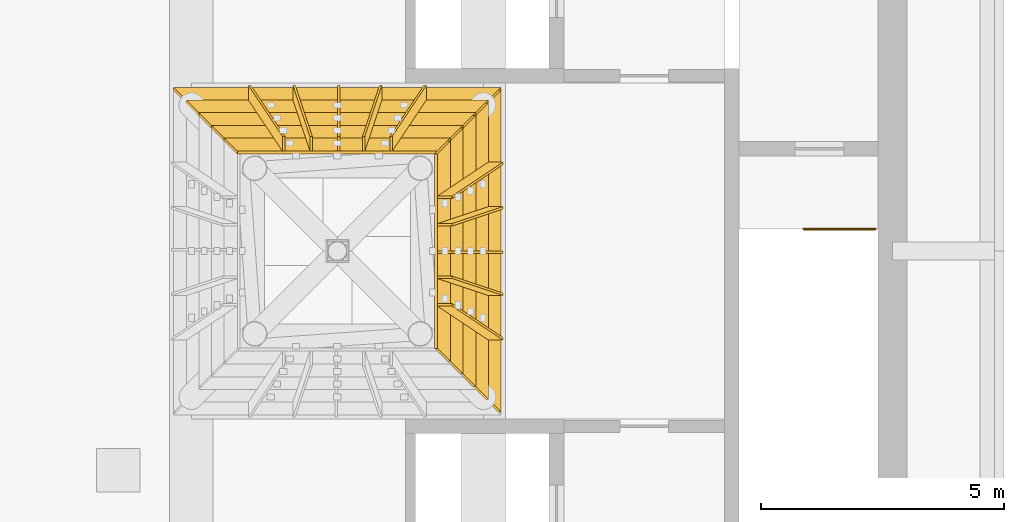
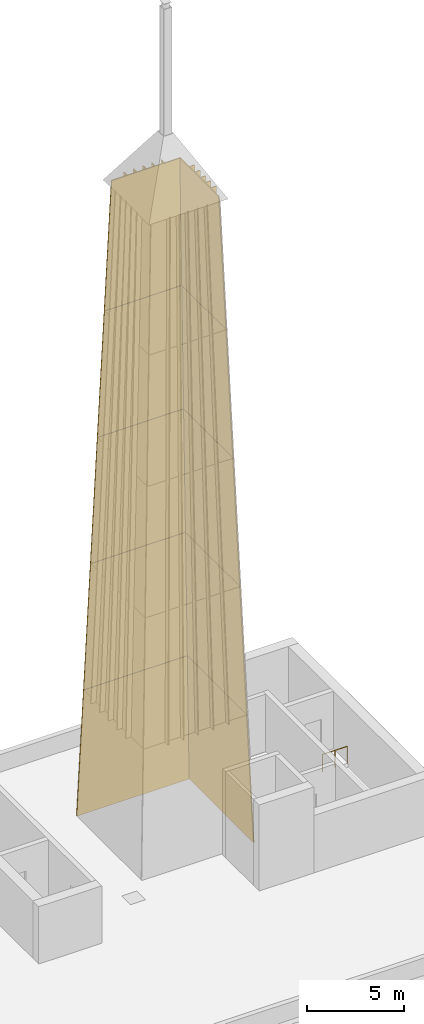
# One storey, part 8 of 8: 20 coverings, 1 railing.
"""IFC4 building model written with IfcOpenShell, lengths in metres."""

from ifc_helpers import new_model, si_unit, direction, frame, origin, origin_2d, place, context, subcontext, project, spatial, polyline, circle, outline, extrude, material, layer, layer_set, type_object, element, save


model = new_model("IFC4")

# Units and contexts
model_context = context("Model", 3, precision=1e-05, world=origin(), true_north=direction((0.0, 1.0)))
body_context = subcontext(model_context, "Body", "Model", "MODEL_VIEW")
ifc_project = project(units=[si_unit("LENGTHUNIT", "METRE"), si_unit("AREAUNIT", "SQUARE_METRE"), si_unit("VOLUMEUNIT", "CUBIC_METRE"), si_unit("PLANEANGLEUNIT", "RADIAN"), si_unit("MASSUNIT", "GRAM", prefix="KILO")], contexts=[model_context])

# Site, building, storey
site_placement = place(None, origin())
site = spatial("IfcSite", under=ifc_project, at=site_placement, CompositionType="ELEMENT")
building_placement = place(site_placement, origin())
building = spatial("IfcBuilding", under=site, at=building_placement, Name="Loomwork Tower", CompositionType="ELEMENT")
storey_placement = place(building_placement, frame((0.0, 0.0, 279.800048828125)))
storey = spatial("IfcBuildingStorey", under=building, at=storey_placement, Name="RF", CompositionType="ELEMENT", Elevation=279.800048828125)

# Coverings
ifc_material_1 = material(Name="Aluminium, bronze anodised", Category="aluminium")
ifc_layer_1 = layer(ifc_material_1, 0.050048828125)
ifc_layer_set_1 = layer_set([ifc_layer_1], Name="Crown bronze fin 300")
covering_type_1 = type_object("IfcCoveringType", Name="Crown bronze fin 300", PredefinedType="CLADDING", material=ifc_layer_set_1)
covering_1_placement = place(storey_placement, frame((25.60107421875, 16.17333984375, 8.0), z_axis=(0.0, -0.999765419657, 0.021658847096), x_axis=(-0.032478694483, 0.021647420496, 0.999237971452)))
element("IfcCovering", 1, at=covering_1_placement, inside=storey, type_object=covering_type_1, Name="Crown fin east 1", PredefinedType="CLADDING", context=body_context, shape_type="SweptSolid", body=[
    extrude(outline(polyline([(0.0, 0.0), (32.2777704106588, 0.0), (32.267930064015005, -0.30281867265454143), (-0.00984034664380143, -0.30281867265454127), (0.0, 0.0)])), origin(), (0.0, 0.0, -1.0), 0.050048828125),
])
covering_2_placement = place(storey_placement, frame((25.60107421875, 17.086669921875, 8.0), z_axis=(0.0, -0.999941339434, 0.010831329105), x_axis=(-0.032484403438, 0.01082561279, 0.999413612896)))
element("IfcCovering", 2, at=covering_2_placement, inside=storey, type_object=covering_type_1, Name="Crown fin east 2", PredefinedType="CLADDING", context=body_context, shape_type="SweptSolid", body=[
    extrude(outline(polyline([(0.0, 0.0), (32.27209777008974, -2.220446049250313e-16), (32.26225569375517, -0.3028186164418445), (-0.009842076334569688, -0.30281861644184443), (0.0, 0.0)])), origin(), (0.0, 0.0, -1.0), 0.050048828125),
])
covering_3_placement = place(storey_placement, frame((25.60107421875, 18.0, 8.0), z_axis=(0.0, 1.0, 0.0), x_axis=(-0.032486307092, 0.0, 0.999472180629)))
element("IfcCovering", 3, at=covering_3_placement, inside=storey, type_object=covering_type_1, Name="Crown fin east 3", PredefinedType="CLADDING", context=body_context, shape_type="SweptSolid", body=[
    extrude(outline(polyline([(0.0, 0.0), (32.27020666830693, 0.0), (32.26036401520605, 0.3028185976954917), (-0.00984265310088216, 0.30281859769549174), (0.0, 0.0)])), origin(), (0.0, 0.0, -1.0), 0.050048828125),
])
covering_4_placement = place(storey_placement, frame((25.60107421875, 18.913330078125, 8.0), z_axis=(0.0, 0.999941339434, 0.010831329105), x_axis=(-0.032484403438, -0.01082561279, 0.999413612896)))
element("IfcCovering", 4, at=covering_4_placement, inside=storey, type_object=covering_type_1, Name="Crown fin east 4", PredefinedType="CLADDING", context=body_context, shape_type="SweptSolid", body=[
    extrude(outline(polyline([(0.0, 0.0), (32.27209777008974, 2.220446049250313e-16), (32.26225569375517, 0.3028186164418445), (-0.009842076334569688, 0.30281861644184443), (0.0, 0.0)])), origin(), (0.0, 0.0, -1.0), 0.050048828125),
])
covering_5_placement = place(storey_placement, frame((25.60107421875, 19.82666015625, 8.0), z_axis=(0.0, 0.999765419657, 0.021658847096), x_axis=(-0.032478694483, -0.021647420496, 0.999237971452)))
element("IfcCovering", 5, at=covering_5_placement, inside=storey, type_object=covering_type_1, Name="Crown fin east 5", PredefinedType="CLADDING", context=body_context, shape_type="SweptSolid", body=[
    extrude(outline(polyline([(0.0, 0.0), (32.2777704106588, 0.0), (32.267930064015005, 0.30281867265454143), (-0.00984034664380143, 0.30281867265454127), (0.0, 0.0)])), origin(), (0.0, 0.0, -1.0), 0.050048828125),
])
covering_6_placement = place(storey_placement, frame((24.32666015625, 21.10107421875, 8.0), z_axis=(0.999765419657, 0.0, 0.021658847096), x_axis=(-0.021647420496, -0.032478694483, 0.999237971452)))
element("IfcCovering", 6, at=covering_6_placement, inside=storey, type_object=covering_type_1, Name="Crown fin north 1", PredefinedType="CLADDING", context=body_context, shape_type="SweptSolid", body=[
    extrude(outline(polyline([(0.0, 0.0), (32.2777704106588, 0.0), (32.267930064015005, -0.30281867265454143), (-0.00984034664380143, -0.30281867265454127), (0.0, 0.0)])), origin(), (0.0, 0.0, -1.0), 0.050048828125),
])
covering_7_placement = place(storey_placement, frame((23.413330078125, 21.10107421875, 8.0), z_axis=(0.999941339434, 0.0, 0.010831329105), x_axis=(-0.01082561279, -0.032484403438, 0.999413612896)))
element("IfcCovering", 7, at=covering_7_placement, inside=storey, type_object=covering_type_1, Name="Crown fin north 2", PredefinedType="CLADDING", context=body_context, shape_type="SweptSolid", body=[
    extrude(outline(polyline([(0.0, 0.0), (32.27209777008974, -2.220446049250313e-16), (32.26225569375517, -0.3028186164418445), (-0.009842076334569688, -0.30281861644184443), (0.0, 0.0)])), origin(), (0.0, 0.0, -1.0), 0.050048828125),
])
covering_8_placement = place(storey_placement, frame((22.5, 21.10107421875, 8.0), z_axis=(-1.0, 0.0, 0.0), x_axis=(0.0, -0.032486307092, 0.999472180629)))
element("IfcCovering", 8, at=covering_8_placement, inside=storey, type_object=covering_type_1, Name="Crown fin north 3", PredefinedType="CLADDING", context=body_context, shape_type="SweptSolid", body=[
    extrude(outline(polyline([(0.0, 0.0), (32.27020666830693, 0.0), (32.26036401520605, 0.3028185976954917), (-0.00984265310088216, 0.30281859769549174), (0.0, 0.0)])), origin(), (0.0, 0.0, -1.0), 0.050048828125),
])
covering_9_placement = place(storey_placement, frame((21.586669921875, 21.10107421875, 8.0), z_axis=(-0.999941339434, 0.0, 0.010831329105), x_axis=(0.01082561279, -0.032484403438, 0.999413612896)))
element("IfcCovering", 9, at=covering_9_placement, inside=storey, type_object=covering_type_1, Name="Crown fin north 4", PredefinedType="CLADDING", context=body_context, shape_type="SweptSolid", body=[
    extrude(outline(polyline([(0.0, 0.0), (32.27209777008974, 2.220446049250313e-16), (32.26225569375517, 0.3028186164418445), (-0.009842076334569688, 0.30281861644184443), (0.0, 0.0)])), origin(), (0.0, 0.0, -1.0), 0.050048828125),
])
covering_10_placement = place(storey_placement, frame((20.67333984375, 21.10107421875, 8.0), z_axis=(-0.999765419657, 0.0, 0.021658847096), x_axis=(0.021647420496, -0.032478694483, 0.999237971452)))
element("IfcCovering", 10, at=covering_10_placement, inside=storey, type_object=covering_type_1, Name="Crown fin north 5", PredefinedType="CLADDING", context=body_context, shape_type="SweptSolid", body=[
    extrude(outline(polyline([(0.0, 0.0), (32.2777704106588, 0.0), (32.267930064015005, 0.30281867265454143), (-0.00984034664380143, 0.30281867265454127), (0.0, 0.0)])), origin(), (0.0, 0.0, -1.0), 0.050048828125),
])
ifc_material_2 = material(Name="Aluminium, bronze anodised", Category="aluminium")
ifc_layer_2 = layer(ifc_material_2, 0.06005859375)
ifc_layer_set_2 = layer_set([ifc_layer_2], Name="Crown bronze panel 60")
covering_type_2 = type_object("IfcCoveringType", Name="Crown bronze panel 60", PredefinedType="CLADDING", material=ifc_layer_set_2)
covering_11_placement = place(storey_placement, frame((25.60400390625, 14.9560546875, 8.0), z_axis=(0.999472253395, 0.0, 0.032484068294), x_axis=(0.0, 1.0, 0.0)))
element("IfcCovering", 11, at=covering_11_placement, inside=storey, type_object=covering_type_2, Name="Crown panel east tier 2", PredefinedType="CLADDING", context=body_context, shape_type="SweptSolid", body=[
    extrude(outline(polyline([(0.0, 0.0), (6.087890625, 0.0), (5.827880859375, 8.004224202146037), (0.260009765625, 8.004224202146037), (0.0, 0.0)])), origin(), (0.0, 0.0, -1.0), 0.06005859375),
])
covering_12_placement = place(storey_placement, frame((25.343994140625, 15.216064453125, 16.0), z_axis=(0.999472253395, 0.0, 0.032484068294), x_axis=(0.0, 1.0, 0.0)))
element("IfcCovering", 12, at=covering_12_placement, inside=storey, type_object=covering_type_2, Name="Crown panel east tier 3", PredefinedType="CLADDING", context=body_context, shape_type="SweptSolid", body=[
    extrude(outline(polyline([(0.0, 0.0), (5.56787109375, 0.0), (5.307861328125, 8.004224202146037), (0.260009765625, 8.004224202146037), (0.0, 0.0)])), origin(), (0.0, 0.0, -1.0), 0.06005859375),
])
covering_13_placement = place(storey_placement, frame((25.083984375, 15.47607421875, 24.0), z_axis=(0.999472253395, 0.0, 0.032484068294), x_axis=(0.0, 1.0, 0.0)))
element("IfcCovering", 13, at=covering_13_placement, inside=storey, type_object=covering_type_2, Name="Crown panel east tier 4", PredefinedType="CLADDING", context=body_context, shape_type="SweptSolid", body=[
    extrude(outline(polyline([(0.0, 0.0), (5.0478515625, 0.0), (4.787841796875, 8.004224202146037), (0.260009765625, 8.004224202146037), (0.0, 0.0)])), origin(), (0.0, 0.0, -1.0), 0.06005859375),
])
covering_14_placement = place(storey_placement, frame((24.823974609375, 15.736083984375, 32.0), z_axis=(0.999471968999, 0.0, 0.032492817451), x_axis=(0.0, 1.0, 0.0)))
element("IfcCovering", 14, at=covering_14_placement, inside=storey, type_object=covering_type_2, Name="Crown panel east tier 5", PredefinedType="CLADDING", context=body_context, shape_type="SweptSolid", body=[
    extrude(outline(polyline([(0.0, 0.0), (4.52783203125, 0.0), (4.259765625, 8.257534062104245), (0.26806640625, 8.257534062104245), (0.0, 0.0)])), origin(), (0.0, 0.0, -1.0), 0.06005859375),
])
covering_15_placement = place(storey_placement, frame((25.60400390625, 21.10400390625, 8.0), z_axis=(0.0, 0.999472253395, 0.032484068294), x_axis=(-1.0, 0.0, 0.0)))
element("IfcCovering", 15, at=covering_15_placement, inside=storey, type_object=covering_type_2, Name="Crown panel north tier 2", PredefinedType="CLADDING", context=body_context, shape_type="SweptSolid", body=[
    extrude(outline(polyline([(0.0, 0.0), (6.2080078125, 0.0), (5.947998046875, 8.004224202146037), (0.260009765625, 8.004224202146037), (0.0, 0.0)])), origin(), (0.0, 0.0, -1.0), 0.06005859375),
])
covering_16_placement = place(storey_placement, frame((25.343994140625, 20.843994140625, 16.0), z_axis=(0.0, 0.999472253395, 0.032484068294), x_axis=(-1.0, 0.0, 0.0)))
element("IfcCovering", 16, at=covering_16_placement, inside=storey, type_object=covering_type_2, Name="Crown panel north tier 3", PredefinedType="CLADDING", context=body_context, shape_type="SweptSolid", body=[
    extrude(outline(polyline([(0.0, 0.0), (5.68798828125, 0.0), (5.427978515625, 8.004224202146037), (0.260009765625, 8.004224202146037), (0.0, 0.0)])), origin(), (0.0, 0.0, -1.0), 0.06005859375),
])
covering_17_placement = place(storey_placement, frame((25.083984375, 20.583984375, 24.0), z_axis=(0.0, 0.999472253395, 0.032484068294), x_axis=(-1.0, 0.0, 0.0)))
element("IfcCovering", 17, at=covering_17_placement, inside=storey, type_object=covering_type_2, Name="Crown panel north tier 4", PredefinedType="CLADDING", context=body_context, shape_type="SweptSolid", body=[
    extrude(outline(polyline([(0.0, 0.0), (5.16796875, 0.0), (4.907958984375, 8.004224202146037), (0.260009765625, 8.004224202146037), (0.0, 0.0)])), origin(), (0.0, 0.0, -1.0), 0.06005859375),
])
covering_18_placement = place(storey_placement, frame((24.823974609375, 20.323974609375, 32.0), z_axis=(0.0, 0.999471968999, 0.032492817451), x_axis=(-1.0, 0.0, 0.0)))
element("IfcCovering", 18, at=covering_18_placement, inside=storey, type_object=covering_type_2, Name="Crown panel north tier 5", PredefinedType="CLADDING", context=body_context, shape_type="SweptSolid", body=[
    extrude(outline(polyline([(0.0, 0.0), (4.64794921875, 0.0), (4.379638671875, 8.257534062104245), (0.268310546875, 8.257534062104245), (0.0, 0.0)])), origin(), (0.0, 0.0, -1.0), 0.06005859375),
])
ifc_material_3 = material(Name="Limestone", Category="masonry")
ifc_layer_3 = layer(ifc_material_3, 0.06005859375)
ifc_layer_set_3 = layer_set([ifc_layer_3], Name="Crown plinth limestone 60")
covering_type_3 = type_object("IfcCoveringType", Name="Crown plinth limestone 60", PredefinedType="CLADDING", material=ifc_layer_set_3)
covering_19_placement = place(storey_placement, frame((25.864013671875, 14.696044921875, 0.0), z_axis=(0.999472253395, 0.0, 0.032484068294), x_axis=(0.0, 1.0, 0.0)))
element("IfcCovering", 19, at=covering_19_placement, inside=storey, type_object=covering_type_3, Name="Crown plinth east tier 1", PredefinedType="CLADDING", context=body_context, shape_type="SweptSolid", body=[
    extrude(outline(polyline([(0.0, 0.0), (6.60791015625, 0.0), (6.347900390625, 8.004224202146037), (0.260009765625, 8.004224202146037), (0.0, 0.0)])), origin(), (0.0, 0.0, -1.0), 0.06005859375),
])
covering_20_placement = place(storey_placement, frame((25.864013671875, 21.364013671875, 0.0), z_axis=(0.0, 0.999472253395, 0.032484068294), x_axis=(-1.0, 0.0, 0.0)))
element("IfcCovering", 20, at=covering_20_placement, inside=storey, type_object=covering_type_3, Name="Crown plinth north tier 1", PredefinedType="CLADDING", context=body_context, shape_type="SweptSolid", body=[
    extrude(outline(polyline([(0.0, 0.0), (6.72802734375, 0.0), (6.468017578125, 8.004224202146037), (0.260009765625, 8.004224202146037), (0.0, 0.0)])), origin(), (0.0, 0.0, -1.0), 0.06005859375),
])

# Railing
ifc_material_4 = material(Name="Stainless steel and laminated glass guard", Category="steel")
railing_type = type_object("IfcRailingType", Name="Guard 1100", PredefinedType="GUARDRAIL", material=ifc_material_4)
railing_placement = place(storey_placement, frame((32.074951171875, 18.449951171875, 0.0)))
element("IfcRailing", 21, at=railing_placement, inside=storey, type_object=railing_type, Name="Stair B top landing guard", PredefinedType="GUARDRAIL", context=body_context, shape_type="SweptSolid", body=[
    extrude(circle(Radius=0.02392578125, at=origin_2d()), frame((0.0, 0.0, 1.076171875), z_axis=(1.0, 0.0, 0.0), x_axis=(0.0, 1.0, 0.0)), (0.0, 0.0, 1.0), 1.47509765625),
    extrude(circle(Radius=0.02099609375, at=origin_2d()), origin(), (0.0, 0.0, 1.0), 1.052001953125),
    extrude(circle(Radius=0.02099609375, at=origin_2d()), frame((0.737548828125, 0.0, 0.0)), (0.0, 0.0, 1.0), 1.052001953125),
    extrude(circle(Radius=0.02099609375, at=origin_2d()), frame((1.47509765625, 0.0, 0.0)), (0.0, 0.0, 1.0), 1.052001953125),
])

save(model, "model.ifc")
